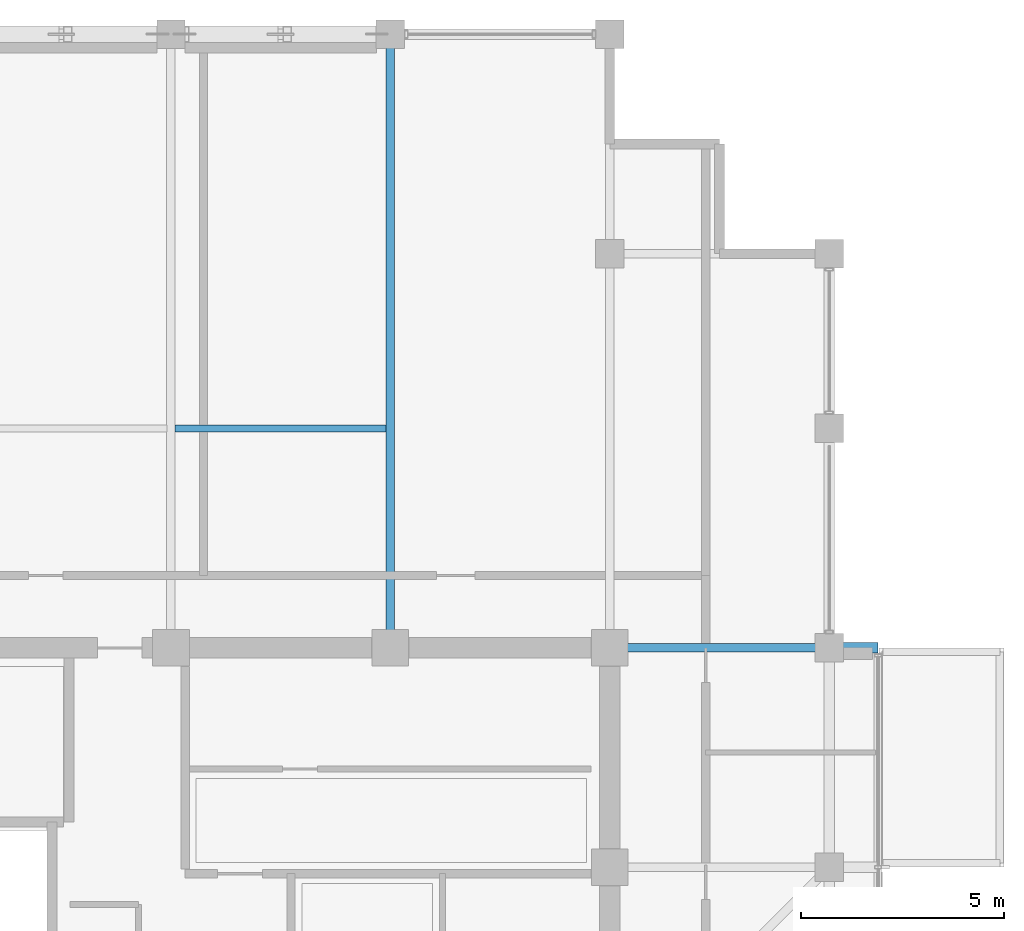
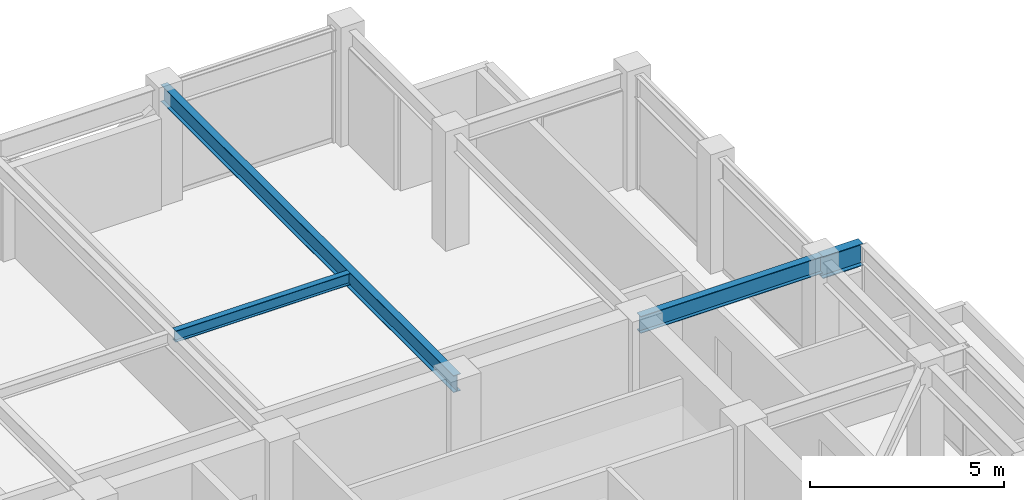
# One storey, part 17 of 31: 4 beams.
"""IFC4 building model written with IfcOpenShell, lengths in metres."""

from ifc_helpers import new_model, si_unit, direction, frame, origin, origin_2d, place, context, subcontext, project, spatial, i_section, extrude, material, material_profile, profile_set, type_object, element, save


model = new_model("IFC4")

# Units and contexts
model_context = context("Model", 3, precision=1e-05, world=origin(), true_north=direction((0.0, 1.0)))
body_context = subcontext(model_context, "Body", "Model", "MODEL_VIEW")
ifc_project = project(units=[si_unit("LENGTHUNIT", "METRE"), si_unit("AREAUNIT", "SQUARE_METRE"), si_unit("VOLUMEUNIT", "CUBIC_METRE"), si_unit("PLANEANGLEUNIT", "RADIAN"), si_unit("MASSUNIT", "GRAM", prefix="KILO")], contexts=[model_context])

# Site, building, storey
site_placement = place(None, origin())
site = spatial("IfcSite", under=ifc_project, at=site_placement, CompositionType="ELEMENT")
building_placement = place(site_placement, origin())
building = spatial("IfcBuilding", under=site, at=building_placement, Name="Surkhivell Harbour Commons", CompositionType="ELEMENT")
storey_placement = place(building_placement, frame((0.0, 0.0, 270.0)))
storey = spatial("IfcBuildingStorey", under=building, at=storey_placement, Name="L70", CompositionType="ELEMENT", Elevation=270.0)

# Beams
ifc_material_1 = material(Name="Steel S460", Category="steel")
ifc_material_profile_1 = material_profile(ifc_material_1, i_section(OverallWidth=0.256103515625, OverallDepth=0.693115234375, WebThickness=0.014404296875, FlangeThickness=0.023681640625, at=origin_2d()), Name="UB686x254x170")
ifc_profile_set_1 = profile_set([ifc_material_profile_1], Name="Steel S460")
beam_type_1 = type_object("IfcBeamType", Name="BM-CNT-686", PredefinedType="BEAM", material=ifc_profile_set_1)
beam_1_placement = place(storey_placement, frame((16.199951171875, 10.800048828125, 3.223388671875), z_axis=(1.0, 0.0, 0.0), x_axis=(0.0, 1.0, 0.0)))
element("IfcBeam", 1, at=beam_1_placement, inside=storey, type_object=beam_type_1, Name="L70 Box Cantilever Outrigger (16.2,10.8)", PredefinedType="BEAM", context=body_context, shape_type="SweptSolid", body=[
    extrude(i_section(OverallWidth=0.256103515625, OverallDepth=0.693115234375, WebThickness=0.014404296875, FlangeThickness=0.023681640625, at=origin_2d()), origin(), (0.0, 0.0, 1.0), 1.199951171875),
])
ifc_material_2 = material(Name="Steel S355", Category="steel")
ifc_material_profile_2 = material_profile(ifc_material_2, i_section(OverallWidth=0.2099609375, OverallDepth=0.537109375, WebThickness=0.0107421875, FlangeThickness=0.017333984375, at=origin_2d()), Name="UB533x210x101")
ifc_profile_set_2 = profile_set([ifc_material_profile_2], Name="Steel S355")
beam_type_2 = type_object("IfcBeamType", Name="BM-GRD-533B", PredefinedType="BEAM", material=ifc_profile_set_2)
beam_2_placement = place(storey_placement, frame((5.39990234375, 10.800048828125, 3.301513671875), z_axis=(0.0, 1.0, 0.0), x_axis=(-1.0, 0.0, 0.0)))
element("IfcBeam", 2, at=beam_2_placement, inside=storey, type_object=beam_type_2, Name="L70 Floor Girder (5.4,10.8)", PredefinedType="BEAM", context=body_context, shape_type="SweptSolid", body=[
    extrude(i_section(OverallWidth=0.2099609375, OverallDepth=0.537109375, WebThickness=0.0107421875, FlangeThickness=0.017333984375, at=origin_2d()), origin(), (0.0, 0.0, 1.0), 15.099853515625),
])
beam_3_placement = place(storey_placement, frame((10.800048828125, 10.800048828125, 3.301513671875), z_axis=(1.0, 0.0, 0.0), x_axis=(0.0, 1.0, 0.0)))
element("IfcBeam", 3, at=beam_3_placement, inside=storey, type_object=beam_type_2, Name="L70 Floor Girder (10.8,10.8)", PredefinedType="BEAM", context=body_context, shape_type="SweptSolid", body=[
    extrude(i_section(OverallWidth=0.2099609375, OverallDepth=0.537109375, WebThickness=0.0107421875, FlangeThickness=0.017333984375, at=origin_2d()), origin(), (0.0, 0.0, 1.0), 5.39990234375),
])
ifc_material_profile_3 = material_profile(ifc_material_2, i_section(OverallWidth=0.172119140625, OverallDepth=0.35791015625, WebThickness=0.008056640625, FlangeThickness=0.012939453125, at=origin_2d()), Name="UB356x171x57")
ifc_profile_set_3 = profile_set([ifc_material_profile_3], Name="Steel S355")
beam_type_3 = type_object("IfcBeamType", Name="BM-JST-356", PredefinedType="JOIST", material=ifc_profile_set_3)
beam_4_placement = place(storey_placement, frame((0.10302734375, 16.199951171875, 3.39111328125), z_axis=(1.0, 0.0, 0.0), x_axis=(0.0, 1.0, 0.0)))
element("IfcBeam", 4, at=beam_4_placement, inside=storey, type_object=beam_type_3, Name="L70 North Composite Joist (0.0)", PredefinedType="JOIST", context=body_context, shape_type="SweptSolid", body=[
    extrude(i_section(OverallWidth=0.172119140625, OverallDepth=0.35791015625, WebThickness=0.008056640625, FlangeThickness=0.012939453125, at=origin_2d()), origin(), (0.0, 0.0, 1.0), 5.194091796875),
])

save(model, "model.ifc")
